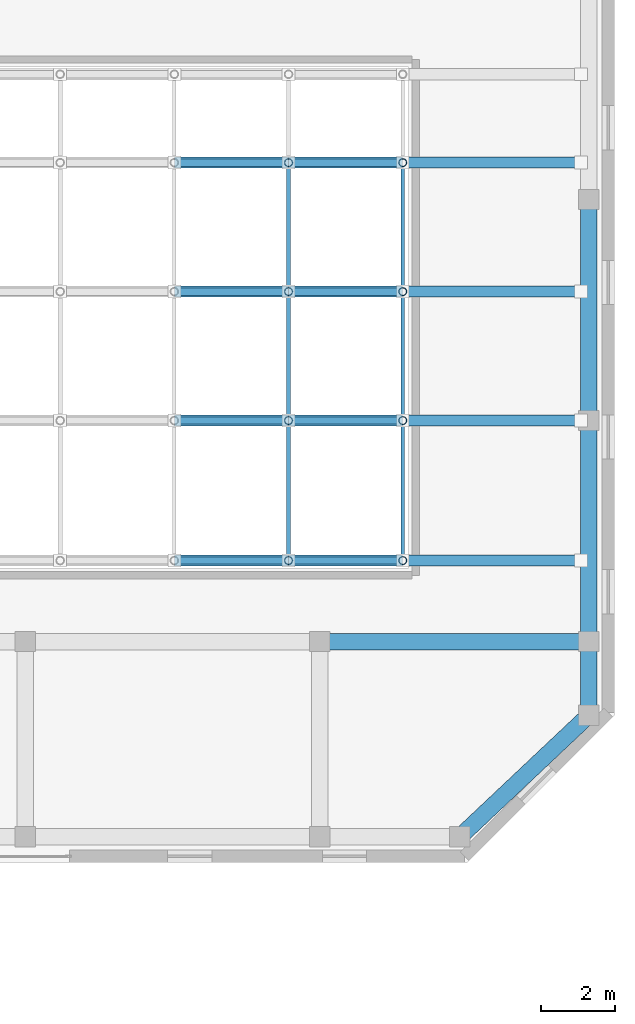
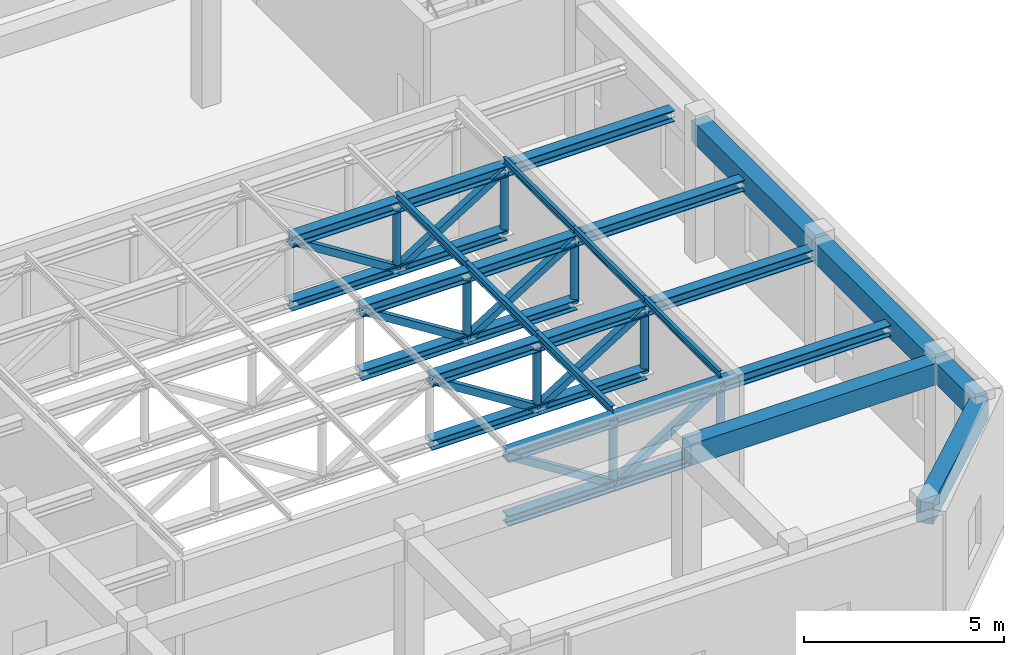
# One storey, part 15 of 33: 42 members, 5 beams.
"""IFC4 building model written with IfcOpenShell, lengths in metres."""

import ifcopenshell
import ifcopenshell.guid

model = None  # the IFC model being written
_history = None  # IfcOwnerHistory: only IFC2X3 demands one
_inside = {}  # id of a spatial element -> (the spatial element, [elements in it])
_under = {}  # id of a project, library or spatial element -> (it, [spatial elements below it])
_declared = {}  # id of a project -> (the project, [libraries it declares])
_typed = {}  # id of a type object -> (the type object, [elements of that type])
_made_of = {}  # id of a material, layer set ... -> (it, [elements and type objects made of it])


def new_model(schema):
    """Start an empty IFC model of exactly this schema.

    Asked for "IFC4X3", IfcOpenShell would pick the latest addendum, in which some entities
    have other attributes; the version numbers below select the first issue.
    IFC2X3 requires an IfcOwnerHistory on every rooted entity: one is made here for all.
    """
    global model, _history
    if schema == "IFC4X3":
        model = ifcopenshell.file(schema_version=(4, 3, 0, 0))
    else:
        model = ifcopenshell.file(schema=schema)
    _inside.clear()
    _under.clear()
    _declared.clear()
    _typed.clear()
    _made_of.clear()
    _history = None
    if model.schema == "IFC2X3":
        org = make("IfcOrganization", Name="unknown")
        user = make(
            "IfcPersonAndOrganization",
            ThePerson=make("IfcPerson", FamilyName="unknown"),
            TheOrganization=org,
        )
        app = make(
            "IfcApplication",
            ApplicationDeveloper=org,
            Version="unknown",
            ApplicationFullName="unknown",
            ApplicationIdentifier="unknown",
        )
        _history = make(
            "IfcOwnerHistory",
            OwningUser=user,
            OwningApplication=app,
            ChangeAction="ADDED",
            CreationDate=0,
        )
    return model


def make(cls, **values):
    """One entity of the class cls with the attributes given. An attribute that is None is left unset."""
    return model.create_entity(
        cls, **{name: value for name, value in values.items() if value is not None}
    )


def rooted(cls, **values):
    """An entity with a GlobalId (a new one), such as an element, a storey or a relation."""
    return make(cls, GlobalId=ifcopenshell.guid.new(), OwnerHistory=_history, **values)


def si_unit(unit_type, name, prefix=None):
    """IfcSIUnit, for example si_unit("LENGTHUNIT", "METRE", prefix="MILLI")."""
    return make("IfcSIUnit", UnitType=unit_type, Prefix=prefix, Name=name)


def assignment(units):
    """IfcUnitAssignment: the units of a project."""
    return None if units is None else make("IfcUnitAssignment", Units=units)


def point(xyz):
    """IfcCartesianPoint."""
    return None if xyz is None else make("IfcCartesianPoint", Coordinates=xyz)


def direction(xyz):
    """IfcDirection."""
    return None if xyz is None else make("IfcDirection", DirectionRatios=xyz)


def frame(location, z_axis=None, x_axis=None):
    """IfcAxis2Placement3D, a coordinate frame: its origin and axes. An axis left out is left unset."""
    return make(
        "IfcAxis2Placement3D",
        Location=point(location),
        Axis=direction(z_axis),
        RefDirection=direction(x_axis),
    )


def frame_2d(location, x_axis=None):
    """IfcAxis2Placement2D, a coordinate frame in the plane: its origin and x axis."""
    return make(
        "IfcAxis2Placement2D", Location=point(location), RefDirection=direction(x_axis)
    )


def origin():
    """The frame at (0, 0, 0) with its axes left unset."""
    return frame((0.0, 0.0, 0.0))


def origin_2d():
    """The frame at (0, 0) in the plane with its x axis left unset."""
    return frame_2d((0.0, 0.0))


def place(relative_to, where):
    """IfcLocalPlacement: puts the frame where relative to a parent placement (None: the world)."""
    return make(
        "IfcLocalPlacement", PlacementRelTo=relative_to, RelativePlacement=where
    )


def context(
    kind, dimensions, precision=None, world=None, true_north=None, identifier=None
):
    """IfcGeometricRepresentationContext, for example the 3D "Model" context."""
    return make(
        "IfcGeometricRepresentationContext",
        ContextIdentifier=identifier,
        ContextType=kind,
        CoordinateSpaceDimension=dimensions,
        Precision=precision,
        WorldCoordinateSystem=world,
        TrueNorth=true_north,
    )


def subcontext(parent, identifier, kind, view, scale=None):
    """IfcGeometricRepresentationSubContext, for example "Body" below "Model"."""
    return make(
        "IfcGeometricRepresentationSubContext",
        ContextIdentifier=identifier,
        ContextType=kind,
        ParentContext=parent,
        TargetScale=scale,
        TargetView=view,
    )


def project(units=None, contexts=None):
    """IfcProject with its units and contexts."""
    return rooted(
        "IfcProject",
        Name="project",
        RepresentationContexts=contexts,
        UnitsInContext=assignment(units),
    )


def spatial(cls, under=None, at=None, **own):
    """A site, building, storey or space (cls), placed at a placement, below another one or the project."""
    s = rooted(cls, ObjectPlacement=at, **own)
    if under is not None:
        _under.setdefault(under.id(), (under, []))[1].append(s)
    return s


def profile(cls, at=None, kind="AREA", **sizes):
    """A parametric profile (cls). Its sizes go by their IFC names, for example OverallWidth=200.0."""
    return make(cls, ProfileType=kind, Position=at, **sizes)


def rectangle(**sizes):
    """IfcRectangleProfileDef."""
    return profile("IfcRectangleProfileDef", **sizes)


def hollow_rectangle(**sizes):
    """IfcRectangleHollowProfileDef."""
    return profile("IfcRectangleHollowProfileDef", **sizes)


def hollow_circle(**sizes):
    """IfcCircleHollowProfileDef."""
    return profile("IfcCircleHollowProfileDef", **sizes)


def i_section(**sizes):
    """IfcIShapeProfileDef."""
    return profile("IfcIShapeProfileDef", **sizes)


def extrude(swept, where, along, depth):
    """IfcExtrudedAreaSolid: the profile swept, set in the frame where, extruded along a direction by depth."""
    return make(
        "IfcExtrudedAreaSolid",
        SweptArea=swept,
        Position=where,
        ExtrudedDirection=direction(along),
        Depth=depth,
    )


def shape(context_of_items, identifier, shape_type, items):
    """IfcShapeRepresentation: the items that make up one representation, for example the "Body"."""
    return make(
        "IfcShapeRepresentation",
        ContextOfItems=context_of_items,
        RepresentationIdentifier=identifier,
        RepresentationType=shape_type,
        Items=items,
    )


def source(mapping_origin, context_of_items, identifier, shape_type, items):
    """IfcRepresentationMap: a shape defined once, which mapped items show again and again."""
    return make(
        "IfcRepresentationMap",
        MappingOrigin=mapping_origin,
        MappedRepresentation=shape(context_of_items, identifier, shape_type, items),
    )


def transform(
    local_origin,
    x_axis=None,
    y_axis=None,
    z_axis=None,
    scale=None,
    scale2=None,
    scale3=None,
    uniform=True,
):
    """IfcCartesianTransformationOperator3D, or its non-uniform kind. x_axis, y_axis, z_axis: its Axis1, 2, 3."""
    if uniform:
        return make(
            "IfcCartesianTransformationOperator3D",
            Axis1=direction(x_axis),
            Axis2=direction(y_axis),
            LocalOrigin=point(local_origin),
            Scale=scale,
            Axis3=direction(z_axis),
        )
    return make(
        "IfcCartesianTransformationOperator3DnonUniform",
        Axis1=direction(x_axis),
        Axis2=direction(y_axis),
        LocalOrigin=point(local_origin),
        Scale=scale,
        Axis3=direction(z_axis),
        Scale2=scale2,
        Scale3=scale3,
    )


def mapped(mapping_source, mapping_target):
    """IfcMappedItem: shows the shape of a source again, moved by a transform."""
    return make(
        "IfcMappedItem", MappingSource=mapping_source, MappingTarget=mapping_target
    )


def material(Name=None, Category=None):
    """IfcMaterial."""
    return make("IfcMaterial", Name=Name, Category=Category)


def material_profile(
    of_material, cross_section, Name=None, Category=None, Priority=None
):
    """IfcMaterialProfile: a cross section and its material."""
    return make(
        "IfcMaterialProfile",
        Name=Name,
        Material=of_material,
        Profile=cross_section,
        Priority=Priority,
        Category=Category,
    )


def profile_set(profiles, Name=None, composite=None):
    """IfcMaterialProfileSet."""
    return make(
        "IfcMaterialProfileSet",
        Name=Name,
        MaterialProfiles=profiles,
        CompositeProfile=composite,
    )


def made_of(thing, what):
    """Note that an element or type object is made of a material, layer set ...; save() writes the relation."""
    if what is not None:
        _made_of.setdefault(what.id(), (what, []))[1].append(thing)
    return thing


def type_object(cls, material=None, **own):
    """A type object (cls), such as IfcWallType, which elements share."""
    return made_of(rooted(cls, **own), material)


def element(
    cls,
    number,
    at=None,
    inside=None,
    cuts=None,
    type_object=None,
    material=None,
    context=None,
    identifier="Body",
    shape_type=None,
    held_by="IfcProductDefinitionShape",
    body=None,
    shapes=None,
    **own,
):
    """One element of the class cls, such as IfcWall. Its Tag is "e" and its number.

    at: its placement. inside: the storey or other place that contains it. cuts: it is an
    opening in that element (IfcRelVoidsElement). A single representation is given by context,
    identifier, shape_type and body (its items); several are given by shapes. held_by: the class
    of the entity that holds the representations. save() writes the other relations.
    """
    e = rooted(cls, Tag="e%d" % number, ObjectPlacement=at, **own)
    if body is not None:
        shapes = [shape(context, identifier, shape_type, body)]
    if shapes is not None:
        e.Representation = make(held_by, Representations=shapes)
    if inside is not None:
        _inside.setdefault(inside.id(), (inside, []))[1].append(e)
    if cuts is not None:
        rooted(
            "IfcRelVoidsElement", RelatingBuildingElement=cuts, RelatedOpeningElement=e
        )
    if type_object is not None:
        _typed.setdefault(type_object.id(), (type_object, []))[1].append(e)
    return made_of(e, material)


def aggregate(whole, parts):
    """IfcRelAggregates: a whole, such as a stair, and the parts it consists of."""
    return rooted("IfcRelAggregates", RelatingObject=whole, RelatedObjects=parts)


def save(model, path):
    """Write the relations noted so far, then the file.

    IfcRelAggregates (storeys below a building ...), IfcRelContainedInSpatialStructure (elements
    in a storey), IfcRelDefinesByType, IfcRelAssociatesMaterial and IfcRelDeclares: one each for
    every whole, place, type object, material and project.
    """
    for whole, parts in _under.values():
        aggregate(whole, parts)
    for where, things in _inside.values():
        rooted(
            "IfcRelContainedInSpatialStructure",
            RelatedElements=things,
            RelatingStructure=where,
        )
    for kind, things in _typed.values():
        rooted("IfcRelDefinesByType", RelatedObjects=things, RelatingType=kind)
    for what, things in _made_of.values():
        rooted("IfcRelAssociatesMaterial", RelatedObjects=things, RelatingMaterial=what)
    for by, libraries in _declared.values():
        rooted("IfcRelDeclares", RelatingContext=by, RelatedDefinitions=libraries)
    model.write(path)


model = new_model("IFC4")

# Units and contexts
model_context = context("Model", 3, precision=1e-05, world=origin(), true_north=direction((0.0, 1.0)))
body_context = subcontext(model_context, "Body", "Model", "MODEL_VIEW")
ifc_project = project(units=[si_unit("LENGTHUNIT", "METRE"), si_unit("AREAUNIT", "SQUARE_METRE"), si_unit("VOLUMEUNIT", "CUBIC_METRE"), si_unit("PLANEANGLEUNIT", "RADIAN"), si_unit("MASSUNIT", "GRAM", prefix="KILO")], contexts=[model_context])

# Site, building, storey
site_placement = place(None, origin())
site = spatial("IfcSite", under=ifc_project, at=site_placement, CompositionType="ELEMENT")
building_placement = place(site_placement, origin())
building = spatial("IfcBuilding", under=site, at=building_placement, Name="Khoralis Quay Care Tower", CompositionType="ELEMENT")
storey_placement = place(building_placement, frame((0.0, 0.0, 18.0)))
storey = spatial("IfcBuildingStorey", under=building, at=storey_placement, Name="L04", CompositionType="ELEMENT", Elevation=18.0)

# Beams
ifc_material_1 = material(Name="Concrete C40/50", Category="concrete")
ifc_material_profile_1 = material_profile(ifc_material_1, rectangle(XDim=0.449951171875, YDim=0.64990234375, at=origin_2d()), Name="Concrete C40/50")
ifc_profile_set_1 = profile_set([ifc_material_profile_1], Name="Concrete C40/50")
beam_type = type_object("IfcBeamType", Name="BM-RC450X650", PredefinedType="BEAM", material=ifc_profile_set_1)
shared_shape_1 = source(origin(), body_context, "Body", "SweptSolid", [
    extrude(rectangle(XDim=0.449951171875, YDim=0.64990234375, at=origin_2d()), origin(), (0.0, 0.0, 1.0), 7.300048828125),
])
beam_1_placement = place(storey_placement, frame((100.0, 12.0, 3.864990234375), z_axis=(1.0, 0.0, 0.0), x_axis=(0.0, 1.0, 0.0)))
element("IfcBeam", 1, at=beam_1_placement, inside=storey, type_object=beam_type, Name="BM-SCX-L04-09", PredefinedType="BEAM", context=body_context, shape_type="MappedRepresentation", body=[
    mapped(shared_shape_1, transform((0.0, 0.0, 0.0), scale=1.0)),
])
shared_shape_2 = source(origin(), body_context, "Body", "SweptSolid", [
    extrude(rectangle(XDim=0.449951171875, YDim=0.64990234375, at=origin_2d()), origin(), (0.0, 0.0, 1.0), 6.0),
])
for number, where, z_axis, x_axis, name in (
    (2, (107.300048828125, 12.0, 3.864990234375), (0.0, 1.0, 0.0), (-1.0, 0.0, 0.0), "BM-SCY-L04-46"),
    (3, (107.300048828125, 18.0, 3.864990234375), (0.0, 1.0, 0.0), (-1.0, 0.0, 0.0), "BM-SCY-L04-47"),
):
    element("IfcBeam", number, at=place(storey_placement, frame(where, z_axis=z_axis, x_axis=x_axis)), inside=storey, type_object=beam_type, Name=name, PredefinedType="BEAM", context=body_context, shape_type="MappedRepresentation", body=[
        mapped(shared_shape_2, transform((0.0, 0.0, 0.0), scale=1.0)),
    ])
shared_shape_3 = source(origin(), body_context, "Body", "SweptSolid", [
    extrude(rectangle(XDim=0.449951171875, YDim=0.64990234375, at=origin_2d()), origin(), (0.0, 0.0, 1.0), 4.810546875),
])
beam_2_placement = place(storey_placement, frame((103.800048828125, 6.699951171875, 3.864990234375), z_axis=(0.727584339713, 0.686018242181, 0.0), x_axis=(-0.686018242181, 0.727584339713, 0.0)))
element("IfcBeam", 4, at=beam_2_placement, inside=storey, type_object=beam_type, Name="BM-SCCH-L04-2", PredefinedType="BEAM", context=body_context, shape_type="MappedRepresentation", body=[
    mapped(shared_shape_3, transform((0.0, 0.0, 0.0), scale=1.0)),
])
shared_shape_4 = source(origin(), body_context, "Body", "SweptSolid", [
    extrude(rectangle(XDim=0.449951171875, YDim=0.64990234375, at=origin_2d()), origin(), (0.0, 0.0, 1.0), 2.0),
])
beam_3_placement = place(storey_placement, frame((107.300048828125, 10.0, 3.864990234375), z_axis=(0.0, 1.0, 0.0), x_axis=(-1.0, 0.0, 0.0)))
element("IfcBeam", 5, at=beam_3_placement, inside=storey, type_object=beam_type, Name="BM-SCCH-L04-3", PredefinedType="BEAM", context=body_context, shape_type="MappedRepresentation", body=[
    mapped(shared_shape_4, transform((0.0, 0.0, 0.0), scale=1.0)),
])

# Members
ifc_material_2 = material(Name="Steel S355", Category="steel")
ifc_material_profile_2 = material_profile(ifc_material_2, i_section(OverallWidth=0.300048828125, OverallDepth=0.340087890625, WebThickness=0.011962890625, FlangeThickness=0.021484375, FilletRadius=0.027099609375, at=origin_2d()), Name="Steel S355")
ifc_profile_set_2 = profile_set([ifc_material_profile_2], Name="Steel S355")
member_type_1 = type_object("IfcMemberType", Name="CH-HEB340", PredefinedType="CHORD", material=ifc_profile_set_2)
shared_shape_5 = source(origin(), body_context, "Body", "SweptSolid", [
    extrude(i_section(OverallWidth=0.300048828125, OverallDepth=0.340087890625, WebThickness=0.011962890625, FlangeThickness=0.021484375, FilletRadius=0.027099609375, at=origin_2d()), origin(), (0.0, 0.0, 1.0), 4.8349609375),
])
for number, where, z_axis, x_axis, name in (
    (6, (102.25, 14.199951171875, 3.800048828125), (1.0, 0.0, 0.0), (0.0, 1.0, 0.0), "MBR-SCTC-1-E"),
    (7, (102.25, 18.0, 3.800048828125), (1.0, 0.0, 0.0), (0.0, 1.0, 0.0), "MBR-SCTC-2-E"),
    (8, (102.25, 21.5, 3.800048828125), (1.0, 0.0, 0.0), (0.0, 1.0, 0.0), "MBR-SCTC-3-E"),
    (9, (102.25, 25.0, 3.800048828125), (1.0, 0.0, 0.0), (0.0, 1.0, 0.0), "MBR-SCTC-4-E"),
):
    element("IfcMember", number, at=place(storey_placement, frame(where, z_axis=z_axis, x_axis=x_axis)), inside=storey, type_object=member_type_1, Name=name, PredefinedType="CHORD", context=body_context, shape_type="MappedRepresentation", body=[
        mapped(shared_shape_5, transform((0.0, 0.0, 0.0), scale=1.0)),
    ])
shared_shape_6 = source(origin(), body_context, "Body", "SweptSolid", [
    extrude(i_section(OverallWidth=0.300048828125, OverallDepth=0.340087890625, WebThickness=0.011962890625, FlangeThickness=0.021484375, FilletRadius=0.027099609375, at=origin_2d()), origin(), (0.0, 0.0, 1.0), 3.10009765625),
])
for number, where, z_axis, x_axis, name in (
    (10, (99.14990234375, 14.199951171875, 3.800048828125), (1.0, 0.0, 0.0), (0.0, 1.0, 0.0), "MBR-SCTC-1-4"),
    (11, (99.14990234375, 18.0, 3.800048828125), (1.0, 0.0, 0.0), (0.0, 1.0, 0.0), "MBR-SCTC-2-4"),
    (12, (99.14990234375, 21.5, 3.800048828125), (1.0, 0.0, 0.0), (0.0, 1.0, 0.0), "MBR-SCTC-3-4"),
    (13, (99.14990234375, 25.0, 3.800048828125), (1.0, 0.0, 0.0), (0.0, 1.0, 0.0), "MBR-SCTC-4-4"),
):
    element("IfcMember", number, at=place(storey_placement, frame(where, z_axis=z_axis, x_axis=x_axis)), inside=storey, type_object=member_type_1, Name=name, PredefinedType="CHORD", context=body_context, shape_type="MappedRepresentation", body=[
        mapped(shared_shape_6, transform((0.0, 0.0, 0.0), scale=1.0)),
    ])
ifc_material_profile_3 = material_profile(ifc_material_2, i_section(OverallWidth=0.300048828125, OverallDepth=0.300048828125, WebThickness=0.010986328125, FlangeThickness=0.01904296875, FilletRadius=0.027099609375, at=origin_2d()), Name="Steel S355")
ifc_profile_set_3 = profile_set([ifc_material_profile_3], Name="Steel S355")
member_type_2 = type_object("IfcMemberType", Name="CH-HEB300", PredefinedType="CHORD", material=ifc_profile_set_3)
shared_shape_7 = source(origin(), body_context, "Body", "SweptSolid", [
    extrude(i_section(OverallWidth=0.300048828125, OverallDepth=0.300048828125, WebThickness=0.010986328125, FlangeThickness=0.01904296875, FilletRadius=0.027099609375, at=origin_2d()), origin(), (0.0, 0.0, 1.0), 3.10009765625),
])
for number, where, z_axis, x_axis, name in (
    (14, (99.14990234375, 14.199951171875, 1.85009765625), (1.0, 0.0, 0.0), (0.0, 1.0, 0.0), "MBR-SCBC-1-4"),
    (15, (99.14990234375, 18.0, 1.85009765625), (1.0, 0.0, 0.0), (0.0, 1.0, 0.0), "MBR-SCBC-2-4"),
    (16, (99.14990234375, 21.5, 1.85009765625), (1.0, 0.0, 0.0), (0.0, 1.0, 0.0), "MBR-SCBC-3-4"),
    (17, (99.14990234375, 25.0, 1.85009765625), (1.0, 0.0, 0.0), (0.0, 1.0, 0.0), "MBR-SCBC-4-4"),
):
    element("IfcMember", number, at=place(storey_placement, frame(where, z_axis=z_axis, x_axis=x_axis)), inside=storey, type_object=member_type_2, Name=name, PredefinedType="CHORD", context=body_context, shape_type="MappedRepresentation", body=[
        mapped(shared_shape_7, transform((0.0, 0.0, 0.0), scale=1.0)),
    ])
ifc_material_profile_4 = material_profile(ifc_material_2, hollow_rectangle(XDim=0.199951171875, YDim=0.199951171875, WallThickness=0.010009765625, at=origin_2d()), Name="Steel S355")
ifc_profile_set_4 = profile_set([ifc_material_profile_4], Name="Steel S355")
member_type_3 = type_object("IfcMemberType", Name="BR-RHS200X200X10", PredefinedType="BRACE", material=ifc_profile_set_4)
shared_shape_8 = source(origin(), body_context, "Body", "SweptSolid", [
    extrude(hollow_rectangle(XDim=0.199951171875, YDim=0.199951171875, WallThickness=0.010009765625, at=origin_2d()), origin(), (0.0, 0.0, 1.0), 3.662353515625),
])
for number, where, z_axis, x_axis, name in (
    (18, (99.14990234375, 14.199951171875, 1.85009765625), (0.846474321082, 0.0, 0.532429548156), (0.0, 1.0, 0.0), "L04 School Roof Truss Brace 1.4"),
    (19, (99.14990234375, 18.0, 1.85009765625), (0.846474321082, 0.0, 0.532429548156), (0.0, 1.0, 0.0), "L04 School Roof Truss Brace 2.4"),
    (20, (99.14990234375, 21.5, 1.85009765625), (0.846474321082, 0.0, 0.532429548156), (0.0, 1.0, 0.0), "L04 School Roof Truss Brace 3.4"),
    (21, (99.14990234375, 25.0, 1.85009765625), (0.846474321082, 0.0, 0.532429548156), (0.0, 1.0, 0.0), "L04 School Roof Truss Brace 4.4"),
):
    element("IfcMember", number, at=place(storey_placement, frame(where, z_axis=z_axis, x_axis=x_axis)), inside=storey, type_object=member_type_3, Name=name, PredefinedType="BRACE", context=body_context, shape_type="MappedRepresentation", body=[
        mapped(shared_shape_8, transform((0.0, 0.0, 0.0), scale=1.0)),
    ])
shared_shape_9 = source(origin(), body_context, "Body", "SweptSolid", [
    extrude(i_section(OverallWidth=0.300048828125, OverallDepth=0.340087890625, WebThickness=0.011962890625, FlangeThickness=0.021484375, FilletRadius=0.027099609375, at=origin_2d()), origin(), (0.0, 0.0, 1.0), 3.099853515625),
])
for number, where, z_axis, x_axis, name in (
    (22, (96.050048828125, 14.199951171875, 3.800048828125), (1.0, 0.0, 0.0), (0.0, 1.0, 0.0), "MBR-SCTC-1-3"),
    (23, (96.050048828125, 18.0, 3.800048828125), (1.0, 0.0, 0.0), (0.0, 1.0, 0.0), "MBR-SCTC-2-3"),
    (24, (96.050048828125, 21.5, 3.800048828125), (1.0, 0.0, 0.0), (0.0, 1.0, 0.0), "MBR-SCTC-3-3"),
    (25, (96.050048828125, 25.0, 3.800048828125), (1.0, 0.0, 0.0), (0.0, 1.0, 0.0), "MBR-SCTC-4-3"),
):
    element("IfcMember", number, at=place(storey_placement, frame(where, z_axis=z_axis, x_axis=x_axis)), inside=storey, type_object=member_type_1, Name=name, PredefinedType="CHORD", context=body_context, shape_type="MappedRepresentation", body=[
        mapped(shared_shape_9, transform((0.0, 0.0, 0.0), scale=1.0)),
    ])
shared_shape_10 = source(origin(), body_context, "Body", "SweptSolid", [
    extrude(i_section(OverallWidth=0.300048828125, OverallDepth=0.300048828125, WebThickness=0.010986328125, FlangeThickness=0.01904296875, FilletRadius=0.027099609375, at=origin_2d()), origin(), (0.0, 0.0, 1.0), 3.099853515625),
])
for number, where, z_axis, x_axis, name in (
    (26, (96.050048828125, 14.199951171875, 1.85009765625), (1.0, 0.0, 0.0), (0.0, 1.0, 0.0), "MBR-SCBC-1-3"),
    (27, (96.050048828125, 18.0, 1.85009765625), (1.0, 0.0, 0.0), (0.0, 1.0, 0.0), "MBR-SCBC-2-3"),
    (28, (96.050048828125, 21.5, 1.85009765625), (1.0, 0.0, 0.0), (0.0, 1.0, 0.0), "MBR-SCBC-3-3"),
    (29, (96.050048828125, 25.0, 1.85009765625), (1.0, 0.0, 0.0), (0.0, 1.0, 0.0), "MBR-SCBC-4-3"),
):
    element("IfcMember", number, at=place(storey_placement, frame(where, z_axis=z_axis, x_axis=x_axis)), inside=storey, type_object=member_type_2, Name=name, PredefinedType="CHORD", context=body_context, shape_type="MappedRepresentation", body=[
        mapped(shared_shape_10, transform((0.0, 0.0, 0.0), scale=1.0)),
    ])
shared_shape_11 = source(origin(), body_context, "Body", "SweptSolid", [
    extrude(hollow_rectangle(XDim=0.199951171875, YDim=0.199951171875, WallThickness=0.010009765625, at=origin_2d()), origin(), (0.0, 0.0, 1.0), 3.662109375),
])
for number, where, z_axis, x_axis, name in (
    (30, (96.050048828125, 14.199951171875, 3.800048828125), (0.846455422051, 0.0, -0.532459593284), (0.0, 1.0, 0.0), "L04 School Roof Truss Brace 1.3"),
    (31, (96.050048828125, 18.0, 3.800048828125), (0.846455422051, 0.0, -0.532459593284), (0.0, 1.0, 0.0), "L04 School Roof Truss Brace 2.3"),
    (32, (96.050048828125, 21.5, 3.800048828125), (0.846455422051, 0.0, -0.532459593284), (0.0, 1.0, 0.0), "L04 School Roof Truss Brace 3.3"),
    (33, (96.050048828125, 25.0, 3.800048828125), (0.846455422051, 0.0, -0.532459593284), (0.0, 1.0, 0.0), "L04 School Roof Truss Brace 4.3"),
):
    element("IfcMember", number, at=place(storey_placement, frame(where, z_axis=z_axis, x_axis=x_axis)), inside=storey, type_object=member_type_3, Name=name, PredefinedType="BRACE", context=body_context, shape_type="MappedRepresentation", body=[
        mapped(shared_shape_11, transform((0.0, 0.0, 0.0), scale=1.0)),
    ])
ifc_material_profile_5 = material_profile(ifc_material_2, hollow_circle(Radius=0.109619140625, WallThickness=0.010009765625, at=origin_2d()), Name="Steel S355")
ifc_profile_set_5 = profile_set([ifc_material_profile_5], Name="Steel S355")
member_type_4 = type_object("IfcMemberType", Name="ST-CHS219X10", PredefinedType="STRUT", material=ifc_profile_set_5)
shared_shape_12 = source(origin(), body_context, "Body", "SweptSolid", [
    extrude(hollow_circle(Radius=0.109619140625, WallThickness=0.010009765625, at=origin_2d()), origin(), (0.0, 0.0, 1.0), 1.949951171875),
])
for number, where, z_axis, x_axis, name in (
    (34, (99.14990234375, 14.199951171875, 1.85009765625), (0.0, 0.0, 1.0), (1.0, 0.0, 0.0), "MBR-SCVT-1-4"),
    (35, (102.25, 14.199951171875, 1.85009765625), (0.0, 0.0, 1.0), (1.0, 0.0, 0.0), "MBR-SCVT-1-5"),
    (36, (99.14990234375, 18.0, 1.85009765625), (0.0, 0.0, 1.0), (1.0, 0.0, 0.0), "MBR-SCVT-2-4"),
    (37, (102.25, 18.0, 1.85009765625), (0.0, 0.0, 1.0), (1.0, 0.0, 0.0), "MBR-SCVT-2-5"),
    (38, (99.14990234375, 21.5, 1.85009765625), (0.0, 0.0, 1.0), (1.0, 0.0, 0.0), "MBR-SCVT-3-4"),
    (39, (102.25, 21.5, 1.85009765625), (0.0, 0.0, 1.0), (1.0, 0.0, 0.0), "MBR-SCVT-3-5"),
    (40, (99.14990234375, 25.0, 1.85009765625), (0.0, 0.0, 1.0), (1.0, 0.0, 0.0), "MBR-SCVT-4-4"),
    (41, (102.25, 25.0, 1.85009765625), (0.0, 0.0, 1.0), (1.0, 0.0, 0.0), "MBR-SCVT-4-5"),
):
    element("IfcMember", number, at=place(storey_placement, frame(where, z_axis=z_axis, x_axis=x_axis)), inside=storey, type_object=member_type_4, Name=name, PredefinedType="STRUT", context=body_context, shape_type="MappedRepresentation", body=[
        mapped(shared_shape_12, transform((0.0, 0.0, 0.0), scale=1.0)),
    ])
ifc_material_profile_6 = material_profile(ifc_material_2, i_section(OverallWidth=0.1201171875, OverallDepth=0.239990234375, WebThickness=0.006103515625, FlangeThickness=0.009765625, FilletRadius=0.014892578125, at=origin_2d()), Name="Steel S355")
ifc_profile_set_6 = profile_set([ifc_material_profile_6], Name="Steel S355")
member_type_5 = type_object("IfcMemberType", Name="PR-IPE240", PredefinedType="PURLIN", material=ifc_profile_set_6)
shared_shape_13 = source(origin(), body_context, "Body", "SweptSolid", [
    extrude(i_section(OverallWidth=0.1201171875, OverallDepth=0.239990234375, WebThickness=0.006103515625, FlangeThickness=0.009765625, FilletRadius=0.014892578125, at=origin_2d()), origin(), (0.0, 0.0, 1.0), 3.800048828125),
])
member_1_placement = place(storey_placement, frame((99.14990234375, 14.199951171875, 4.070068359375), z_axis=(0.0, 1.0, 0.0), x_axis=(-1.0, 0.0, 0.0)))
element("IfcMember", 42, at=member_1_placement, inside=storey, type_object=member_type_5, Name="MBR-SCPR-5-1", PredefinedType="PURLIN", context=body_context, shape_type="MappedRepresentation", body=[
    mapped(shared_shape_13, transform((0.0, 0.0, 0.0), scale=1.0)),
])
shared_shape_14 = source(origin(), body_context, "Body", "SweptSolid", [
    extrude(i_section(OverallWidth=0.1201171875, OverallDepth=0.239990234375, WebThickness=0.006103515625, FlangeThickness=0.009765625, FilletRadius=0.014892578125, at=origin_2d()), origin(), (0.0, 0.0, 1.0), 3.5),
])
for number, where, z_axis, x_axis, name in (
    (43, (99.14990234375, 18.0, 4.070068359375), (0.0, 1.0, 0.0), (-1.0, 0.0, 0.0), "MBR-SCPR-5-2"),
    (44, (99.14990234375, 21.5, 4.070068359375), (0.0, 1.0, 0.0), (-1.0, 0.0, 0.0), "MBR-SCPR-5-3"),
):
    element("IfcMember", number, at=place(storey_placement, frame(where, z_axis=z_axis, x_axis=x_axis)), inside=storey, type_object=member_type_5, Name=name, PredefinedType="PURLIN", context=body_context, shape_type="MappedRepresentation", body=[
        mapped(shared_shape_14, transform((0.0, 0.0, 0.0), scale=1.0)),
    ])
ifc_material_profile_7 = material_profile(ifc_material_2, i_section(OverallWidth=0.10009765625, OverallDepth=0.199951171875, WebThickness=0.005615234375, FlangeThickness=0.008544921875, FilletRadius=0.011962890625, at=origin_2d()), Name="Steel S355")
ifc_profile_set_7 = profile_set([ifc_material_profile_7], Name="Steel S355")
member_type_6 = type_object("IfcMemberType", Name="PR-IPE200", PredefinedType="PURLIN", material=ifc_profile_set_7)
shared_shape_15 = source(origin(), body_context, "Body", "SweptSolid", [
    extrude(i_section(OverallWidth=0.10009765625, OverallDepth=0.199951171875, WebThickness=0.005615234375, FlangeThickness=0.008544921875, FilletRadius=0.011962890625, at=origin_2d()), origin(), (0.0, 0.0, 1.0), 3.800048828125),
])
member_2_placement = place(storey_placement, frame((102.25, 14.199951171875, 4.070068359375), z_axis=(0.0, 1.0, 0.0), x_axis=(-1.0, 0.0, 0.0)))
element("IfcMember", 45, at=member_2_placement, inside=storey, type_object=member_type_6, Name="MBR-SCPR-6-1", PredefinedType="PURLIN", context=body_context, shape_type="MappedRepresentation", body=[
    mapped(shared_shape_15, transform((0.0, 0.0, 0.0), scale=1.0)),
])
shared_shape_16 = source(origin(), body_context, "Body", "SweptSolid", [
    extrude(i_section(OverallWidth=0.10009765625, OverallDepth=0.199951171875, WebThickness=0.005615234375, FlangeThickness=0.008544921875, FilletRadius=0.011962890625, at=origin_2d()), origin(), (0.0, 0.0, 1.0), 3.5),
])
for number, where, z_axis, x_axis, name in (
    (46, (102.25, 18.0, 4.070068359375), (0.0, 1.0, 0.0), (-1.0, 0.0, 0.0), "MBR-SCPR-6-2"),
    (47, (102.25, 21.5, 4.070068359375), (0.0, 1.0, 0.0), (-1.0, 0.0, 0.0), "MBR-SCPR-6-3"),
):
    element("IfcMember", number, at=place(storey_placement, frame(where, z_axis=z_axis, x_axis=x_axis)), inside=storey, type_object=member_type_6, Name=name, PredefinedType="PURLIN", context=body_context, shape_type="MappedRepresentation", body=[
        mapped(shared_shape_16, transform((0.0, 0.0, 0.0), scale=1.0)),
    ])

save(model, "model.ifc")
